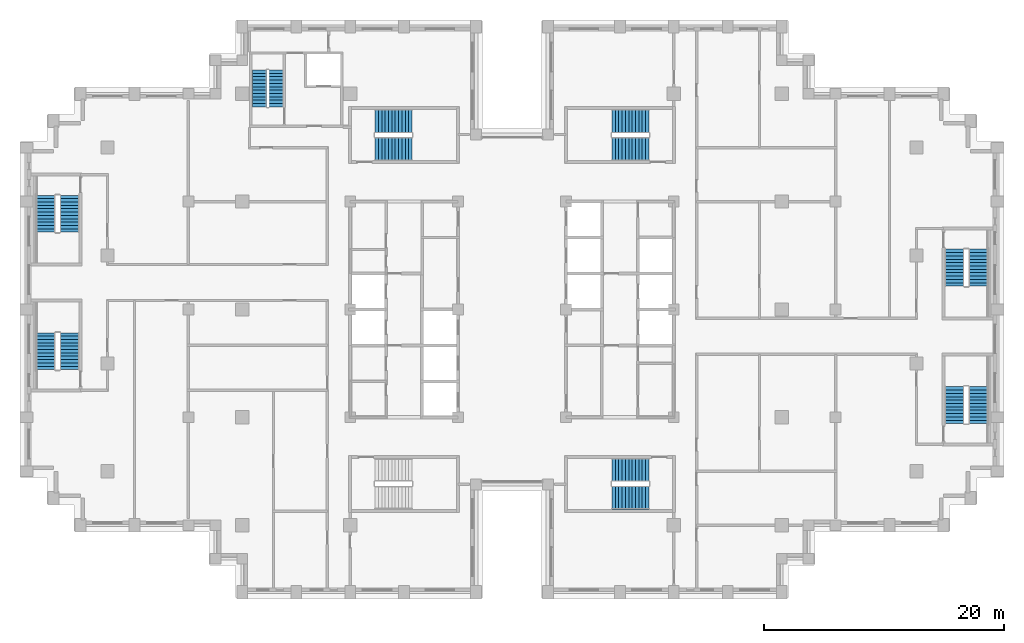
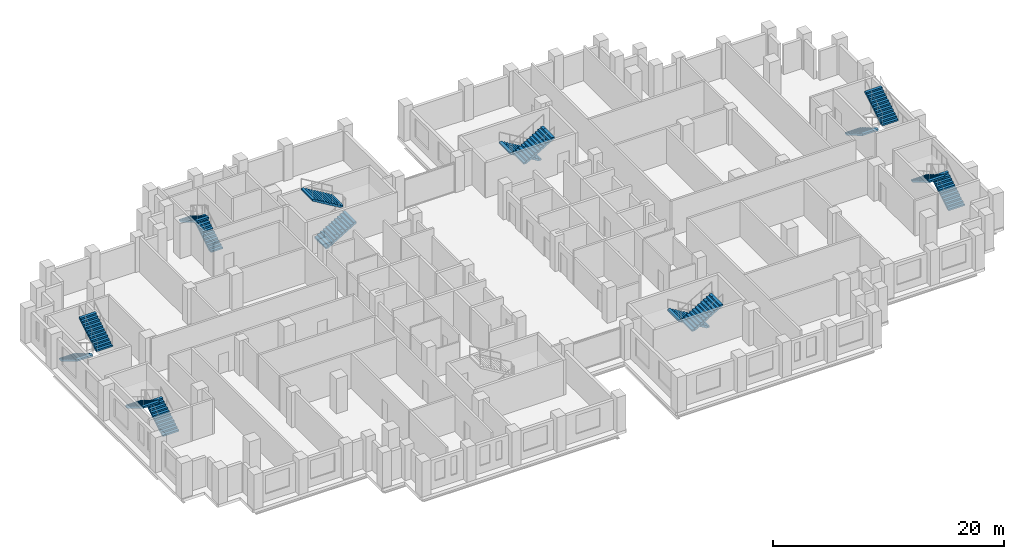
# One storey, part 13 of 15: 16 stair flights, 8 elements without a shape of their own.
"""IFC4 building model written with IfcOpenShell, lengths in metres."""

from ifc_helpers import new_model, si_unit, direction, frame, origin, place, context, subcontext, project, spatial, polyline, outline, extrude, material, type_object, element, aggregate, save


model = new_model("IFC4")

# Units and contexts
model_context = context("Model", 3, precision=1e-05, world=origin(), true_north=direction((0.0, 1.0)))
body_context = subcontext(model_context, "Body", "Model", "MODEL_VIEW")
ifc_project = project(units=[si_unit("LENGTHUNIT", "METRE"), si_unit("AREAUNIT", "SQUARE_METRE"), si_unit("VOLUMEUNIT", "CUBIC_METRE"), si_unit("PLANEANGLEUNIT", "RADIAN"), si_unit("MASSUNIT", "GRAM", prefix="KILO")], contexts=[model_context])

# Site, building, storey
site_placement = place(None, origin())
site = spatial("IfcSite", under=ifc_project, at=site_placement, CompositionType="ELEMENT")
building_placement = place(site_placement, origin())
building = spatial("IfcBuilding", under=site, at=building_placement, Name="Corbelhall Arena Tower", CompositionType="ELEMENT")
storey_placement = place(building_placement, frame((0.0, 0.0, 134.0)))
storey = spatial("IfcBuildingStorey", under=building, at=storey_placement, Name="L25", CompositionType="ELEMENT", Elevation=134.0)

# Stair, stair flights
ifc_material = material(Name="Concrete C40/50", Category="concrete")
stair_type = type_object("IfcStairType", Name="IN-ST-TOWER", PredefinedType="HALF_TURN_STAIR", material=ifc_material)
stair_1_placement = place(storey_placement, origin())
stair_1 = element("IfcStair", 1, at=stair_1_placement, inside=storey, type_object=stair_type, Name="L25 Exit stair ST1", PredefinedType="HALF_TURN_STAIR")
stair_flight_type = type_object("IfcStairFlightType", Name="IN-SFL-RC", PredefinedType="STRAIGHT", material=ifc_material)
stair_flight_1_placement = place(storey_placement, frame((-11.425048828125, 13.39990234375, 0.0), z_axis=(0.0, 0.0, 1.0), x_axis=(1.0, 0.0, 0.0)))
stair_flight_1 = element("IfcStairFlight", 2, at=stair_flight_1_placement, type_object=stair_flight_type, Name="ST1 flight 1", NumberOfRisers=12, NumberOfTreads=11, PredefinedType="STRAIGHT", RiserHeight=0.166666667, TreadLength=0.28, context=body_context, shape_type="SweptSolid", body=[
    extrude(outline(polyline([(0.0, 0.0), (0.0, 0.166748046875), (0.280029296875, 0.166748046875), (0.280029296875, 0.333251953125), (0.56005859375, 0.333251953125), (0.56005859375, 0.5), (0.840087890625, 0.5), (0.840087890625, 0.666748046875), (1.1201171875, 0.666748046875), (1.1201171875, 0.833251953125), (1.39990234375, 0.833251953125), (1.39990234375, 1.0), (1.679931640625, 1.0), (1.679931640625, 1.166748046875), (1.9599609375, 1.166748046875), (1.9599609375, 1.333251953125), (2.239990234375, 1.333251953125), (2.239990234375, 1.5), (2.52001953125, 1.5), (2.52001953125, 1.666748046875), (2.800048828125, 1.666748046875), (2.800048828125, 1.833251953125), (3.080078125, 1.833251953125), (3.080078125, 2.0), (3.080078125, 1.658935546875), (0.29296875, 0.0), (0.0, 0.0)])), frame((0.0, 0.97509765625, 0.0), z_axis=(0.0, -1.0, 0.0), x_axis=(1.0, 0.0, 0.0)), (0.0, 0.0, 1.0), 0.449951171875),
    extrude(outline(polyline([(0.0, 0.0), (0.0, 0.166748046875), (0.280029296875, 0.166748046875), (0.280029296875, 0.333251953125), (0.56005859375, 0.333251953125), (0.56005859375, 0.5), (0.840087890625, 0.5), (0.840087890625, 0.666748046875), (1.1201171875, 0.666748046875), (1.1201171875, 0.833251953125), (1.39990234375, 0.833251953125), (1.39990234375, 1.0), (1.679931640625, 1.0), (1.679931640625, 1.166748046875), (1.9599609375, 1.166748046875), (1.9599609375, 1.333251953125), (2.239990234375, 1.333251953125), (2.239990234375, 1.5), (2.52001953125, 1.5), (2.52001953125, 1.666748046875), (2.800048828125, 1.666748046875), (2.800048828125, 1.833251953125), (3.080078125, 1.833251953125), (3.080078125, 2.0), (3.080078125, 1.658935546875), (0.29296875, 0.0), (0.0, 0.0)])), frame((0.0, 0.52099609375, 0.0), z_axis=(0.0, -1.0, 0.0), x_axis=(1.0, 0.0, 0.0)), (0.0, 0.0, 1.0), 1.0419921875),
    extrude(outline(polyline([(0.0, 0.0), (0.0, 0.166748046875), (0.280029296875, 0.166748046875), (0.280029296875, 0.333251953125), (0.56005859375, 0.333251953125), (0.56005859375, 0.5), (0.840087890625, 0.5), (0.840087890625, 0.666748046875), (1.1201171875, 0.666748046875), (1.1201171875, 0.833251953125), (1.39990234375, 0.833251953125), (1.39990234375, 1.0), (1.679931640625, 1.0), (1.679931640625, 1.166748046875), (1.9599609375, 1.166748046875), (1.9599609375, 1.333251953125), (2.239990234375, 1.333251953125), (2.239990234375, 1.5), (2.52001953125, 1.5), (2.52001953125, 1.666748046875), (2.800048828125, 1.666748046875), (2.800048828125, 1.833251953125), (3.080078125, 1.833251953125), (3.080078125, 2.0), (3.080078125, 1.658935546875), (0.29296875, 0.0), (0.0, 0.0)])), frame((0.0, -0.52490234375, 0.0), z_axis=(0.0, -1.0, 0.0), x_axis=(1.0, 0.0, 0.0)), (0.0, 0.0, 1.0), 0.449951171875),
])
stair_flight_2_placement = place(storey_placement, frame((-8.344970703125, 15.699951171875, 2.0), z_axis=(0.0, 0.0, 1.0), x_axis=(-1.0, 0.0, 0.0)))
stair_flight_2 = element("IfcStairFlight", 3, at=stair_flight_2_placement, type_object=stair_flight_type, Name="ST1 flight 2", NumberOfRisers=12, NumberOfTreads=11, PredefinedType="STRAIGHT", RiserHeight=0.166666667, TreadLength=0.28, context=body_context, shape_type="SweptSolid", body=[
    extrude(outline(polyline([(0.0, 0.0), (0.0, 0.166748046875), (0.280029296875, 0.166748046875), (0.280029296875, 0.333251953125), (0.56005859375, 0.333251953125), (0.56005859375, 0.5), (0.840087890625, 0.5), (0.840087890625, 0.666748046875), (1.1201171875, 0.666748046875), (1.1201171875, 0.833251953125), (1.39990234375, 0.833251953125), (1.39990234375, 1.0), (1.679931640625, 1.0), (1.679931640625, 1.166748046875), (1.9599609375, 1.166748046875), (1.9599609375, 1.333251953125), (2.239990234375, 1.333251953125), (2.239990234375, 1.5), (2.52001953125, 1.5), (2.52001953125, 1.666748046875), (2.800048828125, 1.666748046875), (2.800048828125, 1.833251953125), (3.080078125, 1.833251953125), (3.080078125, 2.0), (3.080078125, 1.658935546875), (0.29296875, 0.0), (0.0, 0.0)])), frame((0.0, 0.97509765625, 0.0), z_axis=(0.0, -1.0, 0.0), x_axis=(1.0, 0.0, 0.0)), (0.0, 0.0, 1.0), 0.449951171875),
    extrude(outline(polyline([(0.0, 0.0), (0.0, 0.166748046875), (0.280029296875, 0.166748046875), (0.280029296875, 0.333251953125), (0.56005859375, 0.333251953125), (0.56005859375, 0.5), (0.840087890625, 0.5), (0.840087890625, 0.666748046875), (1.1201171875, 0.666748046875), (1.1201171875, 0.833251953125), (1.39990234375, 0.833251953125), (1.39990234375, 1.0), (1.679931640625, 1.0), (1.679931640625, 1.166748046875), (1.9599609375, 1.166748046875), (1.9599609375, 1.333251953125), (2.239990234375, 1.333251953125), (2.239990234375, 1.5), (2.52001953125, 1.5), (2.52001953125, 1.666748046875), (2.800048828125, 1.666748046875), (2.800048828125, 1.833251953125), (3.080078125, 1.833251953125), (3.080078125, 2.0), (3.080078125, 1.658935546875), (0.29296875, 0.0), (0.0, 0.0)])), frame((0.0, 0.52099609375, 0.0), z_axis=(0.0, -1.0, 0.0), x_axis=(1.0, 0.0, 0.0)), (0.0, 0.0, 1.0), 1.0419921875),
    extrude(outline(polyline([(0.0, 0.0), (0.0, 0.166748046875), (0.280029296875, 0.166748046875), (0.280029296875, 0.333251953125), (0.56005859375, 0.333251953125), (0.56005859375, 0.5), (0.840087890625, 0.5), (0.840087890625, 0.666748046875), (1.1201171875, 0.666748046875), (1.1201171875, 0.833251953125), (1.39990234375, 0.833251953125), (1.39990234375, 1.0), (1.679931640625, 1.0), (1.679931640625, 1.166748046875), (1.9599609375, 1.166748046875), (1.9599609375, 1.333251953125), (2.239990234375, 1.333251953125), (2.239990234375, 1.5), (2.52001953125, 1.5), (2.52001953125, 1.666748046875), (2.800048828125, 1.666748046875), (2.800048828125, 1.833251953125), (3.080078125, 1.833251953125), (3.080078125, 2.0), (3.080078125, 1.658935546875), (0.29296875, 0.0), (0.0, 0.0)])), frame((0.0, -0.52490234375, 0.0), z_axis=(0.0, -1.0, 0.0), x_axis=(1.0, 0.0, 0.0)), (0.0, 0.0, 1.0), 0.449951171875),
])
aggregate(stair_1, [stair_flight_1, stair_flight_2])

stair_2_placement = place(storey_placement, origin())
stair_2 = element("IfcStair", 4, at=stair_2_placement, inside=storey, type_object=stair_type, Name="L25 Exit stair ST3", PredefinedType="HALF_TURN_STAIR")
stair_flight_3_placement = place(storey_placement, frame((11.425048828125, 15.699951171875, 0.0), z_axis=(0.0, 0.0, 1.0), x_axis=(-1.0, 0.0, 0.0)))
stair_flight_3 = element("IfcStairFlight", 5, at=stair_flight_3_placement, type_object=stair_flight_type, Name="ST3 flight 1", NumberOfRisers=12, NumberOfTreads=11, PredefinedType="STRAIGHT", RiserHeight=0.166666667, TreadLength=0.28, context=body_context, shape_type="SweptSolid", body=[
    extrude(outline(polyline([(0.0, 0.0), (0.0, 0.166748046875), (0.280029296875, 0.166748046875), (0.280029296875, 0.333251953125), (0.56005859375, 0.333251953125), (0.56005859375, 0.5), (0.840087890625, 0.5), (0.840087890625, 0.666748046875), (1.1201171875, 0.666748046875), (1.1201171875, 0.833251953125), (1.39990234375, 0.833251953125), (1.39990234375, 1.0), (1.679931640625, 1.0), (1.679931640625, 1.166748046875), (1.9599609375, 1.166748046875), (1.9599609375, 1.333251953125), (2.239990234375, 1.333251953125), (2.239990234375, 1.5), (2.52001953125, 1.5), (2.52001953125, 1.666748046875), (2.800048828125, 1.666748046875), (2.800048828125, 1.833251953125), (3.080078125, 1.833251953125), (3.080078125, 2.0), (3.080078125, 1.658935546875), (0.29296875, 0.0), (0.0, 0.0)])), frame((0.0, 0.97509765625, 0.0), z_axis=(0.0, -1.0, 0.0), x_axis=(1.0, 0.0, 0.0)), (0.0, 0.0, 1.0), 0.449951171875),
    extrude(outline(polyline([(0.0, 0.0), (0.0, 0.166748046875), (0.280029296875, 0.166748046875), (0.280029296875, 0.333251953125), (0.56005859375, 0.333251953125), (0.56005859375, 0.5), (0.840087890625, 0.5), (0.840087890625, 0.666748046875), (1.1201171875, 0.666748046875), (1.1201171875, 0.833251953125), (1.39990234375, 0.833251953125), (1.39990234375, 1.0), (1.679931640625, 1.0), (1.679931640625, 1.166748046875), (1.9599609375, 1.166748046875), (1.9599609375, 1.333251953125), (2.239990234375, 1.333251953125), (2.239990234375, 1.5), (2.52001953125, 1.5), (2.52001953125, 1.666748046875), (2.800048828125, 1.666748046875), (2.800048828125, 1.833251953125), (3.080078125, 1.833251953125), (3.080078125, 2.0), (3.080078125, 1.658935546875), (0.29296875, 0.0), (0.0, 0.0)])), frame((0.0, 0.52099609375, 0.0), z_axis=(0.0, -1.0, 0.0), x_axis=(1.0, 0.0, 0.0)), (0.0, 0.0, 1.0), 1.0419921875),
    extrude(outline(polyline([(0.0, 0.0), (0.0, 0.166748046875), (0.280029296875, 0.166748046875), (0.280029296875, 0.333251953125), (0.56005859375, 0.333251953125), (0.56005859375, 0.5), (0.840087890625, 0.5), (0.840087890625, 0.666748046875), (1.1201171875, 0.666748046875), (1.1201171875, 0.833251953125), (1.39990234375, 0.833251953125), (1.39990234375, 1.0), (1.679931640625, 1.0), (1.679931640625, 1.166748046875), (1.9599609375, 1.166748046875), (1.9599609375, 1.333251953125), (2.239990234375, 1.333251953125), (2.239990234375, 1.5), (2.52001953125, 1.5), (2.52001953125, 1.666748046875), (2.800048828125, 1.666748046875), (2.800048828125, 1.833251953125), (3.080078125, 1.833251953125), (3.080078125, 2.0), (3.080078125, 1.658935546875), (0.29296875, 0.0), (0.0, 0.0)])), frame((0.0, -0.52490234375, 0.0), z_axis=(0.0, -1.0, 0.0), x_axis=(1.0, 0.0, 0.0)), (0.0, 0.0, 1.0), 0.449951171875),
])
stair_flight_4_placement = place(storey_placement, frame((8.344970703125, 13.39990234375, 2.0), z_axis=(0.0, 0.0, 1.0), x_axis=(1.0, 0.0, 0.0)))
stair_flight_4 = element("IfcStairFlight", 6, at=stair_flight_4_placement, type_object=stair_flight_type, Name="ST3 flight 2", NumberOfRisers=12, NumberOfTreads=11, PredefinedType="STRAIGHT", RiserHeight=0.166666667, TreadLength=0.28, context=body_context, shape_type="SweptSolid", body=[
    extrude(outline(polyline([(0.0, 0.0), (0.0, 0.166748046875), (0.280029296875, 0.166748046875), (0.280029296875, 0.333251953125), (0.56005859375, 0.333251953125), (0.56005859375, 0.5), (0.840087890625, 0.5), (0.840087890625, 0.666748046875), (1.1201171875, 0.666748046875), (1.1201171875, 0.833251953125), (1.39990234375, 0.833251953125), (1.39990234375, 1.0), (1.679931640625, 1.0), (1.679931640625, 1.166748046875), (1.9599609375, 1.166748046875), (1.9599609375, 1.333251953125), (2.239990234375, 1.333251953125), (2.239990234375, 1.5), (2.52001953125, 1.5), (2.52001953125, 1.666748046875), (2.800048828125, 1.666748046875), (2.800048828125, 1.833251953125), (3.080078125, 1.833251953125), (3.080078125, 2.0), (3.080078125, 1.658935546875), (0.29296875, 0.0), (0.0, 0.0)])), frame((0.0, 0.97509765625, 0.0), z_axis=(0.0, -1.0, 0.0), x_axis=(1.0, 0.0, 0.0)), (0.0, 0.0, 1.0), 0.449951171875),
    extrude(outline(polyline([(0.0, 0.0), (0.0, 0.166748046875), (0.280029296875, 0.166748046875), (0.280029296875, 0.333251953125), (0.56005859375, 0.333251953125), (0.56005859375, 0.5), (0.840087890625, 0.5), (0.840087890625, 0.666748046875), (1.1201171875, 0.666748046875), (1.1201171875, 0.833251953125), (1.39990234375, 0.833251953125), (1.39990234375, 1.0), (1.679931640625, 1.0), (1.679931640625, 1.166748046875), (1.9599609375, 1.166748046875), (1.9599609375, 1.333251953125), (2.239990234375, 1.333251953125), (2.239990234375, 1.5), (2.52001953125, 1.5), (2.52001953125, 1.666748046875), (2.800048828125, 1.666748046875), (2.800048828125, 1.833251953125), (3.080078125, 1.833251953125), (3.080078125, 2.0), (3.080078125, 1.658935546875), (0.29296875, 0.0), (0.0, 0.0)])), frame((0.0, 0.52099609375, 0.0), z_axis=(0.0, -1.0, 0.0), x_axis=(1.0, 0.0, 0.0)), (0.0, 0.0, 1.0), 1.0419921875),
    extrude(outline(polyline([(0.0, 0.0), (0.0, 0.166748046875), (0.280029296875, 0.166748046875), (0.280029296875, 0.333251953125), (0.56005859375, 0.333251953125), (0.56005859375, 0.5), (0.840087890625, 0.5), (0.840087890625, 0.666748046875), (1.1201171875, 0.666748046875), (1.1201171875, 0.833251953125), (1.39990234375, 0.833251953125), (1.39990234375, 1.0), (1.679931640625, 1.0), (1.679931640625, 1.166748046875), (1.9599609375, 1.166748046875), (1.9599609375, 1.333251953125), (2.239990234375, 1.333251953125), (2.239990234375, 1.5), (2.52001953125, 1.5), (2.52001953125, 1.666748046875), (2.800048828125, 1.666748046875), (2.800048828125, 1.833251953125), (3.080078125, 1.833251953125), (3.080078125, 2.0), (3.080078125, 1.658935546875), (0.29296875, 0.0), (0.0, 0.0)])), frame((0.0, -0.52490234375, 0.0), z_axis=(0.0, -1.0, 0.0), x_axis=(1.0, 0.0, 0.0)), (0.0, 0.0, 1.0), 0.449951171875),
])
aggregate(stair_2, [stair_flight_3, stair_flight_4])

stair_3_placement = place(storey_placement, origin())
stair_3 = element("IfcStair", 7, at=stair_3_placement, inside=storey, type_object=stair_type, Name="L25 Exit stair ST4", PredefinedType="HALF_TURN_STAIR")
stair_flight_5_placement = place(storey_placement, frame((11.425048828125, -13.39990234375, 0.0), z_axis=(0.0, 0.0, 1.0), x_axis=(-1.0, 0.0, 0.0)))
stair_flight_5 = element("IfcStairFlight", 8, at=stair_flight_5_placement, type_object=stair_flight_type, Name="ST4 flight 1", NumberOfRisers=12, NumberOfTreads=11, PredefinedType="STRAIGHT", RiserHeight=0.166666667, TreadLength=0.28, context=body_context, shape_type="SweptSolid", body=[
    extrude(outline(polyline([(0.0, 0.0), (0.0, 0.166748046875), (0.280029296875, 0.166748046875), (0.280029296875, 0.333251953125), (0.56005859375, 0.333251953125), (0.56005859375, 0.5), (0.840087890625, 0.5), (0.840087890625, 0.666748046875), (1.1201171875, 0.666748046875), (1.1201171875, 0.833251953125), (1.39990234375, 0.833251953125), (1.39990234375, 1.0), (1.679931640625, 1.0), (1.679931640625, 1.166748046875), (1.9599609375, 1.166748046875), (1.9599609375, 1.333251953125), (2.239990234375, 1.333251953125), (2.239990234375, 1.5), (2.52001953125, 1.5), (2.52001953125, 1.666748046875), (2.800048828125, 1.666748046875), (2.800048828125, 1.833251953125), (3.080078125, 1.833251953125), (3.080078125, 2.0), (3.080078125, 1.658935546875), (0.29296875, 0.0), (0.0, 0.0)])), frame((0.0, 0.97509765625, 0.0), z_axis=(0.0, -1.0, 0.0), x_axis=(1.0, 0.0, 0.0)), (0.0, 0.0, 1.0), 0.449951171875),
    extrude(outline(polyline([(0.0, 0.0), (0.0, 0.166748046875), (0.280029296875, 0.166748046875), (0.280029296875, 0.333251953125), (0.56005859375, 0.333251953125), (0.56005859375, 0.5), (0.840087890625, 0.5), (0.840087890625, 0.666748046875), (1.1201171875, 0.666748046875), (1.1201171875, 0.833251953125), (1.39990234375, 0.833251953125), (1.39990234375, 1.0), (1.679931640625, 1.0), (1.679931640625, 1.166748046875), (1.9599609375, 1.166748046875), (1.9599609375, 1.333251953125), (2.239990234375, 1.333251953125), (2.239990234375, 1.5), (2.52001953125, 1.5), (2.52001953125, 1.666748046875), (2.800048828125, 1.666748046875), (2.800048828125, 1.833251953125), (3.080078125, 1.833251953125), (3.080078125, 2.0), (3.080078125, 1.658935546875), (0.29296875, 0.0), (0.0, 0.0)])), frame((0.0, 0.52099609375, 0.0), z_axis=(0.0, -1.0, 0.0), x_axis=(1.0, 0.0, 0.0)), (0.0, 0.0, 1.0), 1.0419921875),
    extrude(outline(polyline([(0.0, 0.0), (0.0, 0.166748046875), (0.280029296875, 0.166748046875), (0.280029296875, 0.333251953125), (0.56005859375, 0.333251953125), (0.56005859375, 0.5), (0.840087890625, 0.5), (0.840087890625, 0.666748046875), (1.1201171875, 0.666748046875), (1.1201171875, 0.833251953125), (1.39990234375, 0.833251953125), (1.39990234375, 1.0), (1.679931640625, 1.0), (1.679931640625, 1.166748046875), (1.9599609375, 1.166748046875), (1.9599609375, 1.333251953125), (2.239990234375, 1.333251953125), (2.239990234375, 1.5), (2.52001953125, 1.5), (2.52001953125, 1.666748046875), (2.800048828125, 1.666748046875), (2.800048828125, 1.833251953125), (3.080078125, 1.833251953125), (3.080078125, 2.0), (3.080078125, 1.658935546875), (0.29296875, 0.0), (0.0, 0.0)])), frame((0.0, -0.52490234375, 0.0), z_axis=(0.0, -1.0, 0.0), x_axis=(1.0, 0.0, 0.0)), (0.0, 0.0, 1.0), 0.449951171875),
])
stair_flight_6_placement = place(storey_placement, frame((8.344970703125, -15.699951171875, 2.0), z_axis=(0.0, 0.0, 1.0), x_axis=(1.0, 0.0, 0.0)))
stair_flight_6 = element("IfcStairFlight", 9, at=stair_flight_6_placement, type_object=stair_flight_type, Name="ST4 flight 2", NumberOfRisers=12, NumberOfTreads=11, PredefinedType="STRAIGHT", RiserHeight=0.166666667, TreadLength=0.28, context=body_context, shape_type="SweptSolid", body=[
    extrude(outline(polyline([(0.0, 0.0), (0.0, 0.166748046875), (0.280029296875, 0.166748046875), (0.280029296875, 0.333251953125), (0.56005859375, 0.333251953125), (0.56005859375, 0.5), (0.840087890625, 0.5), (0.840087890625, 0.666748046875), (1.1201171875, 0.666748046875), (1.1201171875, 0.833251953125), (1.39990234375, 0.833251953125), (1.39990234375, 1.0), (1.679931640625, 1.0), (1.679931640625, 1.166748046875), (1.9599609375, 1.166748046875), (1.9599609375, 1.333251953125), (2.239990234375, 1.333251953125), (2.239990234375, 1.5), (2.52001953125, 1.5), (2.52001953125, 1.666748046875), (2.800048828125, 1.666748046875), (2.800048828125, 1.833251953125), (3.080078125, 1.833251953125), (3.080078125, 2.0), (3.080078125, 1.658935546875), (0.29296875, 0.0), (0.0, 0.0)])), frame((0.0, 0.97509765625, 0.0), z_axis=(0.0, -1.0, 0.0), x_axis=(1.0, 0.0, 0.0)), (0.0, 0.0, 1.0), 0.449951171875),
    extrude(outline(polyline([(0.0, 0.0), (0.0, 0.166748046875), (0.280029296875, 0.166748046875), (0.280029296875, 0.333251953125), (0.56005859375, 0.333251953125), (0.56005859375, 0.5), (0.840087890625, 0.5), (0.840087890625, 0.666748046875), (1.1201171875, 0.666748046875), (1.1201171875, 0.833251953125), (1.39990234375, 0.833251953125), (1.39990234375, 1.0), (1.679931640625, 1.0), (1.679931640625, 1.166748046875), (1.9599609375, 1.166748046875), (1.9599609375, 1.333251953125), (2.239990234375, 1.333251953125), (2.239990234375, 1.5), (2.52001953125, 1.5), (2.52001953125, 1.666748046875), (2.800048828125, 1.666748046875), (2.800048828125, 1.833251953125), (3.080078125, 1.833251953125), (3.080078125, 2.0), (3.080078125, 1.658935546875), (0.29296875, 0.0), (0.0, 0.0)])), frame((0.0, 0.52099609375, 0.0), z_axis=(0.0, -1.0, 0.0), x_axis=(1.0, 0.0, 0.0)), (0.0, 0.0, 1.0), 1.0419921875),
    extrude(outline(polyline([(0.0, 0.0), (0.0, 0.166748046875), (0.280029296875, 0.166748046875), (0.280029296875, 0.333251953125), (0.56005859375, 0.333251953125), (0.56005859375, 0.5), (0.840087890625, 0.5), (0.840087890625, 0.666748046875), (1.1201171875, 0.666748046875), (1.1201171875, 0.833251953125), (1.39990234375, 0.833251953125), (1.39990234375, 1.0), (1.679931640625, 1.0), (1.679931640625, 1.166748046875), (1.9599609375, 1.166748046875), (1.9599609375, 1.333251953125), (2.239990234375, 1.333251953125), (2.239990234375, 1.5), (2.52001953125, 1.5), (2.52001953125, 1.666748046875), (2.800048828125, 1.666748046875), (2.800048828125, 1.833251953125), (3.080078125, 1.833251953125), (3.080078125, 2.0), (3.080078125, 1.658935546875), (0.29296875, 0.0), (0.0, 0.0)])), frame((0.0, -0.52490234375, 0.0), z_axis=(0.0, -1.0, 0.0), x_axis=(1.0, 0.0, 0.0)), (0.0, 0.0, 1.0), 0.449951171875),
])
aggregate(stair_3, [stair_flight_5, stair_flight_6])

stair_4_placement = place(storey_placement, origin())
stair_4 = element("IfcStair", 10, at=stair_4_placement, inside=storey, type_object=stair_type, Name="L25 Exit stair SC1", PredefinedType="HALF_TURN_STAIR")
stair_flight_7_placement = place(storey_placement, frame((-38.89990234375, 9.52490234375, 0.0), z_axis=(0.0, 0.0, 1.0), x_axis=(0.0, -1.0, 0.0)))
stair_flight_7 = element("IfcStairFlight", 11, at=stair_flight_7_placement, type_object=stair_flight_type, Name="SC1 flight 1", NumberOfRisers=12, NumberOfTreads=11, PredefinedType="STRAIGHT", RiserHeight=0.166666667, TreadLength=0.28, context=body_context, shape_type="SweptSolid", body=[
    extrude(outline(polyline([(0.0, 0.0), (0.0, 0.166748046875), (0.280029296875, 0.166748046875), (0.280029296875, 0.333251953125), (0.56005859375, 0.333251953125), (0.56005859375, 0.5), (0.840087890625, 0.5), (0.840087890625, 0.666748046875), (1.1201171875, 0.666748046875), (1.1201171875, 0.833251953125), (1.39990234375, 0.833251953125), (1.39990234375, 1.0), (1.679931640625, 1.0), (1.679931640625, 1.166748046875), (1.9599609375, 1.166748046875), (1.9599609375, 1.333251953125), (2.239990234375, 1.333251953125), (2.239990234375, 1.5), (2.52001953125, 1.5), (2.52001953125, 1.666748046875), (2.800048828125, 1.666748046875), (2.800048828125, 1.833251953125), (3.080078125, 1.833251953125), (3.080078125, 2.0), (3.080078125, 1.658935546875), (0.29296875, 0.0), (0.0, 0.0)])), frame((0.0, 0.800048828125, 0.0), z_axis=(0.0, -1.0, 0.0), x_axis=(1.0, 0.0, 0.0)), (0.0, 0.0, 1.0), 1.60009765625),
])
stair_flight_8_placement = place(storey_placement, frame((-36.925048828125, 6.445068359375, 2.0), z_axis=(0.0, 0.0, 1.0), x_axis=(0.0, 1.0, 0.0)))
stair_flight_8 = element("IfcStairFlight", 12, at=stair_flight_8_placement, type_object=stair_flight_type, Name="SC1 flight 2", NumberOfRisers=12, NumberOfTreads=11, PredefinedType="STRAIGHT", RiserHeight=0.166666667, TreadLength=0.28, context=body_context, shape_type="SweptSolid", body=[
    extrude(outline(polyline([(0.0, 0.0), (0.0, 0.166748046875), (0.280029296875, 0.166748046875), (0.280029296875, 0.333251953125), (0.56005859375, 0.333251953125), (0.56005859375, 0.5), (0.840087890625, 0.5), (0.840087890625, 0.666748046875), (1.1201171875, 0.666748046875), (1.1201171875, 0.833251953125), (1.39990234375, 0.833251953125), (1.39990234375, 1.0), (1.679931640625, 1.0), (1.679931640625, 1.166748046875), (1.9599609375, 1.166748046875), (1.9599609375, 1.333251953125), (2.239990234375, 1.333251953125), (2.239990234375, 1.5), (2.52001953125, 1.5), (2.52001953125, 1.666748046875), (2.800048828125, 1.666748046875), (2.800048828125, 1.833251953125), (3.080078125, 1.833251953125), (3.080078125, 2.0), (3.080078125, 1.658935546875), (0.29296875, 0.0), (0.0, 0.0)])), frame((0.0, 0.800048828125, 0.0), z_axis=(0.0, -1.0, 0.0), x_axis=(1.0, 0.0, 0.0)), (0.0, 0.0, 1.0), 1.60009765625),
])
aggregate(stair_4, [stair_flight_7, stair_flight_8])

stair_5_placement = place(storey_placement, origin())
stair_5 = element("IfcStair", 13, at=stair_5_placement, inside=storey, type_object=stair_type, Name="L25 Exit stair SC2", PredefinedType="HALF_TURN_STAIR")
stair_flight_9_placement = place(storey_placement, frame((-36.925048828125, -5.02490234375, 0.0), z_axis=(0.0, 0.0, 1.0), x_axis=(0.0, 1.0, 0.0)))
stair_flight_9 = element("IfcStairFlight", 14, at=stair_flight_9_placement, type_object=stair_flight_type, Name="SC2 flight 1", NumberOfRisers=12, NumberOfTreads=11, PredefinedType="STRAIGHT", RiserHeight=0.166666667, TreadLength=0.28, context=body_context, shape_type="SweptSolid", body=[
    extrude(outline(polyline([(0.0, 0.0), (0.0, 0.166748046875), (0.280029296875, 0.166748046875), (0.280029296875, 0.333251953125), (0.56005859375, 0.333251953125), (0.56005859375, 0.5), (0.840087890625, 0.5), (0.840087890625, 0.666748046875), (1.1201171875, 0.666748046875), (1.1201171875, 0.833251953125), (1.39990234375, 0.833251953125), (1.39990234375, 1.0), (1.679931640625, 1.0), (1.679931640625, 1.166748046875), (1.9599609375, 1.166748046875), (1.9599609375, 1.333251953125), (2.239990234375, 1.333251953125), (2.239990234375, 1.5), (2.52001953125, 1.5), (2.52001953125, 1.666748046875), (2.800048828125, 1.666748046875), (2.800048828125, 1.833251953125), (3.080078125, 1.833251953125), (3.080078125, 2.0), (3.080078125, 1.658935546875), (0.29296875, 0.0), (0.0, 0.0)])), frame((0.0, 0.800048828125, 0.0), z_axis=(0.0, -1.0, 0.0), x_axis=(1.0, 0.0, 0.0)), (0.0, 0.0, 1.0), 1.60009765625),
])
stair_flight_10_placement = place(storey_placement, frame((-38.89990234375, -1.945068359375, 2.0), z_axis=(0.0, 0.0, 1.0), x_axis=(0.0, -1.0, 0.0)))
stair_flight_10 = element("IfcStairFlight", 15, at=stair_flight_10_placement, type_object=stair_flight_type, Name="SC2 flight 2", NumberOfRisers=12, NumberOfTreads=11, PredefinedType="STRAIGHT", RiserHeight=0.166666667, TreadLength=0.28, context=body_context, shape_type="SweptSolid", body=[
    extrude(outline(polyline([(0.0, 0.0), (0.0, 0.166748046875), (0.280029296875, 0.166748046875), (0.280029296875, 0.333251953125), (0.56005859375, 0.333251953125), (0.56005859375, 0.5), (0.840087890625, 0.5), (0.840087890625, 0.666748046875), (1.1201171875, 0.666748046875), (1.1201171875, 0.833251953125), (1.39990234375, 0.833251953125), (1.39990234375, 1.0), (1.679931640625, 1.0), (1.679931640625, 1.166748046875), (1.9599609375, 1.166748046875), (1.9599609375, 1.333251953125), (2.239990234375, 1.333251953125), (2.239990234375, 1.5), (2.52001953125, 1.5), (2.52001953125, 1.666748046875), (2.800048828125, 1.666748046875), (2.800048828125, 1.833251953125), (3.080078125, 1.833251953125), (3.080078125, 2.0), (3.080078125, 1.658935546875), (0.29296875, 0.0), (0.0, 0.0)])), frame((0.0, 0.800048828125, 0.0), z_axis=(0.0, -1.0, 0.0), x_axis=(1.0, 0.0, 0.0)), (0.0, 0.0, 1.0), 1.60009765625),
])
aggregate(stair_5, [stair_flight_9, stair_flight_10])

stair_6_placement = place(storey_placement, origin())
stair_6 = element("IfcStair", 16, at=stair_6_placement, inside=storey, type_object=stair_type, Name="L25 Exit stair SD1", PredefinedType="HALF_TURN_STAIR")
stair_flight_11_placement = place(storey_placement, frame((38.89990234375, -9.52490234375, 0.0), z_axis=(0.0, 0.0, 1.0), x_axis=(0.0, 1.0, 0.0)))
stair_flight_11 = element("IfcStairFlight", 17, at=stair_flight_11_placement, type_object=stair_flight_type, Name="SD1 flight 1", NumberOfRisers=12, NumberOfTreads=11, PredefinedType="STRAIGHT", RiserHeight=0.166666667, TreadLength=0.28, context=body_context, shape_type="SweptSolid", body=[
    extrude(outline(polyline([(0.0, 0.0), (0.0, 0.166748046875), (0.280029296875, 0.166748046875), (0.280029296875, 0.333251953125), (0.56005859375, 0.333251953125), (0.56005859375, 0.5), (0.840087890625, 0.5), (0.840087890625, 0.666748046875), (1.1201171875, 0.666748046875), (1.1201171875, 0.833251953125), (1.39990234375, 0.833251953125), (1.39990234375, 1.0), (1.679931640625, 1.0), (1.679931640625, 1.166748046875), (1.9599609375, 1.166748046875), (1.9599609375, 1.333251953125), (2.239990234375, 1.333251953125), (2.239990234375, 1.5), (2.52001953125, 1.5), (2.52001953125, 1.666748046875), (2.800048828125, 1.666748046875), (2.800048828125, 1.833251953125), (3.080078125, 1.833251953125), (3.080078125, 2.0), (3.080078125, 1.658935546875), (0.29296875, 0.0), (0.0, 0.0)])), frame((0.0, 0.800048828125, 0.0), z_axis=(0.0, -1.0, 0.0), x_axis=(1.0, 0.0, 0.0)), (0.0, 0.0, 1.0), 1.60009765625),
])
stair_flight_12_placement = place(storey_placement, frame((36.925048828125, -6.445068359375, 2.0), z_axis=(0.0, 0.0, 1.0), x_axis=(0.0, -1.0, 0.0)))
stair_flight_12 = element("IfcStairFlight", 18, at=stair_flight_12_placement, type_object=stair_flight_type, Name="SD1 flight 2", NumberOfRisers=12, NumberOfTreads=11, PredefinedType="STRAIGHT", RiserHeight=0.166666667, TreadLength=0.28, context=body_context, shape_type="SweptSolid", body=[
    extrude(outline(polyline([(0.0, 0.0), (0.0, 0.166748046875), (0.280029296875, 0.166748046875), (0.280029296875, 0.333251953125), (0.56005859375, 0.333251953125), (0.56005859375, 0.5), (0.840087890625, 0.5), (0.840087890625, 0.666748046875), (1.1201171875, 0.666748046875), (1.1201171875, 0.833251953125), (1.39990234375, 0.833251953125), (1.39990234375, 1.0), (1.679931640625, 1.0), (1.679931640625, 1.166748046875), (1.9599609375, 1.166748046875), (1.9599609375, 1.333251953125), (2.239990234375, 1.333251953125), (2.239990234375, 1.5), (2.52001953125, 1.5), (2.52001953125, 1.666748046875), (2.800048828125, 1.666748046875), (2.800048828125, 1.833251953125), (3.080078125, 1.833251953125), (3.080078125, 2.0), (3.080078125, 1.658935546875), (0.29296875, 0.0), (0.0, 0.0)])), frame((0.0, 0.800048828125, 0.0), z_axis=(0.0, -1.0, 0.0), x_axis=(1.0, 0.0, 0.0)), (0.0, 0.0, 1.0), 1.60009765625),
])
aggregate(stair_6, [stair_flight_11, stair_flight_12])

stair_7_placement = place(storey_placement, origin())
stair_7 = element("IfcStair", 19, at=stair_7_placement, inside=storey, type_object=stair_type, Name="L25 Exit stair SD2", PredefinedType="HALF_TURN_STAIR")
stair_flight_13_placement = place(storey_placement, frame((36.925048828125, 5.02490234375, 0.0), z_axis=(0.0, 0.0, 1.0), x_axis=(0.0, -1.0, 0.0)))
stair_flight_13 = element("IfcStairFlight", 20, at=stair_flight_13_placement, type_object=stair_flight_type, Name="SD2 flight 1", NumberOfRisers=12, NumberOfTreads=11, PredefinedType="STRAIGHT", RiserHeight=0.166666667, TreadLength=0.28, context=body_context, shape_type="SweptSolid", body=[
    extrude(outline(polyline([(0.0, 0.0), (0.0, 0.166748046875), (0.280029296875, 0.166748046875), (0.280029296875, 0.333251953125), (0.56005859375, 0.333251953125), (0.56005859375, 0.5), (0.840087890625, 0.5), (0.840087890625, 0.666748046875), (1.1201171875, 0.666748046875), (1.1201171875, 0.833251953125), (1.39990234375, 0.833251953125), (1.39990234375, 1.0), (1.679931640625, 1.0), (1.679931640625, 1.166748046875), (1.9599609375, 1.166748046875), (1.9599609375, 1.333251953125), (2.239990234375, 1.333251953125), (2.239990234375, 1.5), (2.52001953125, 1.5), (2.52001953125, 1.666748046875), (2.800048828125, 1.666748046875), (2.800048828125, 1.833251953125), (3.080078125, 1.833251953125), (3.080078125, 2.0), (3.080078125, 1.658935546875), (0.29296875, 0.0), (0.0, 0.0)])), frame((0.0, 0.800048828125, 0.0), z_axis=(0.0, -1.0, 0.0), x_axis=(1.0, 0.0, 0.0)), (0.0, 0.0, 1.0), 1.60009765625),
])
stair_flight_14_placement = place(storey_placement, frame((38.89990234375, 1.945068359375, 2.0), z_axis=(0.0, 0.0, 1.0), x_axis=(0.0, 1.0, 0.0)))
stair_flight_14 = element("IfcStairFlight", 21, at=stair_flight_14_placement, type_object=stair_flight_type, Name="SD2 flight 2", NumberOfRisers=12, NumberOfTreads=11, PredefinedType="STRAIGHT", RiserHeight=0.166666667, TreadLength=0.28, context=body_context, shape_type="SweptSolid", body=[
    extrude(outline(polyline([(0.0, 0.0), (0.0, 0.166748046875), (0.280029296875, 0.166748046875), (0.280029296875, 0.333251953125), (0.56005859375, 0.333251953125), (0.56005859375, 0.5), (0.840087890625, 0.5), (0.840087890625, 0.666748046875), (1.1201171875, 0.666748046875), (1.1201171875, 0.833251953125), (1.39990234375, 0.833251953125), (1.39990234375, 1.0), (1.679931640625, 1.0), (1.679931640625, 1.166748046875), (1.9599609375, 1.166748046875), (1.9599609375, 1.333251953125), (2.239990234375, 1.333251953125), (2.239990234375, 1.5), (2.52001953125, 1.5), (2.52001953125, 1.666748046875), (2.800048828125, 1.666748046875), (2.800048828125, 1.833251953125), (3.080078125, 1.833251953125), (3.080078125, 2.0), (3.080078125, 1.658935546875), (0.29296875, 0.0), (0.0, 0.0)])), frame((0.0, 0.800048828125, 0.0), z_axis=(0.0, -1.0, 0.0), x_axis=(1.0, 0.0, 0.0)), (0.0, 0.0, 1.0), 1.60009765625),
])
aggregate(stair_7, [stair_flight_13, stair_flight_14])

stair_8_placement = place(storey_placement, origin())
stair_8 = element("IfcStair", 22, at=stair_8_placement, inside=storey, type_object=stair_type, Name="L25 Exit stair ST5", PredefinedType="HALF_TURN_STAIR")
stair_flight_15_placement = place(storey_placement, frame((-19.695068359375, 16.89990234375, 0.0), z_axis=(0.0, 0.0, 1.0), x_axis=(0.0, 1.0, 0.0)))
stair_flight_15 = element("IfcStairFlight", 23, at=stair_flight_15_placement, type_object=stair_flight_type, Name="ST5 flight 1", NumberOfRisers=12, NumberOfTreads=11, PredefinedType="STRAIGHT", RiserHeight=0.166666667, TreadLength=0.28, context=body_context, shape_type="SweptSolid", body=[
    extrude(outline(polyline([(0.0, 0.0), (0.0, 0.166748046875), (0.280029296875, 0.166748046875), (0.280029296875, 0.333251953125), (0.56005859375, 0.333251953125), (0.56005859375, 0.5), (0.840087890625, 0.5), (0.840087890625, 0.666748046875), (1.1201171875, 0.666748046875), (1.1201171875, 0.833251953125), (1.39990234375, 0.833251953125), (1.39990234375, 1.0), (1.679931640625, 1.0), (1.679931640625, 1.166748046875), (1.9599609375, 1.166748046875), (1.9599609375, 1.333251953125), (2.239990234375, 1.333251953125), (2.239990234375, 1.5), (2.52001953125, 1.5), (2.52001953125, 1.666748046875), (2.800048828125, 1.666748046875), (2.800048828125, 1.833251953125), (3.080078125, 1.833251953125), (3.080078125, 2.0), (3.080078125, 1.658935546875), (0.29296875, 0.0), (0.0, 0.0)])), frame((0.0, 0.60009765625, 0.0), z_axis=(0.0, -1.0, 0.0), x_axis=(1.0, 0.0, 0.0)), (0.0, 0.0, 1.0), 1.199951171875),
])
stair_flight_16_placement = place(storey_placement, frame((-21.094970703125, 19.97998046875, 2.0), z_axis=(0.0, 0.0, 1.0), x_axis=(0.0, -1.0, 0.0)))
stair_flight_16 = element("IfcStairFlight", 24, at=stair_flight_16_placement, type_object=stair_flight_type, Name="ST5 flight 2", NumberOfRisers=12, NumberOfTreads=11, PredefinedType="STRAIGHT", RiserHeight=0.166666667, TreadLength=0.28, context=body_context, shape_type="SweptSolid", body=[
    extrude(outline(polyline([(0.0, 0.0), (0.0, 0.166748046875), (0.280029296875, 0.166748046875), (0.280029296875, 0.333251953125), (0.56005859375, 0.333251953125), (0.56005859375, 0.5), (0.840087890625, 0.5), (0.840087890625, 0.666748046875), (1.1201171875, 0.666748046875), (1.1201171875, 0.833251953125), (1.39990234375, 0.833251953125), (1.39990234375, 1.0), (1.679931640625, 1.0), (1.679931640625, 1.166748046875), (1.9599609375, 1.166748046875), (1.9599609375, 1.333251953125), (2.239990234375, 1.333251953125), (2.239990234375, 1.5), (2.52001953125, 1.5), (2.52001953125, 1.666748046875), (2.800048828125, 1.666748046875), (2.800048828125, 1.833251953125), (3.080078125, 1.833251953125), (3.080078125, 2.0), (3.080078125, 1.658935546875), (0.29296875, 0.0), (0.0, 0.0)])), frame((0.0, 0.60009765625, 0.0), z_axis=(0.0, -1.0, 0.0), x_axis=(1.0, 0.0, 0.0)), (0.0, 0.0, 1.0), 1.199951171875),
])
aggregate(stair_8, [stair_flight_15, stair_flight_16])

save(model, "model.ifc")
